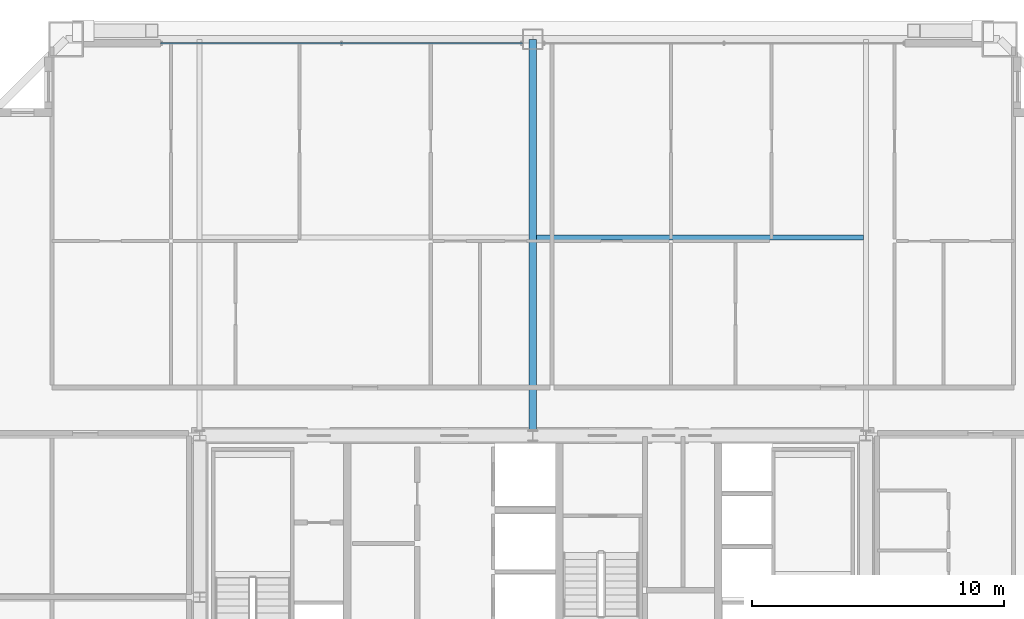
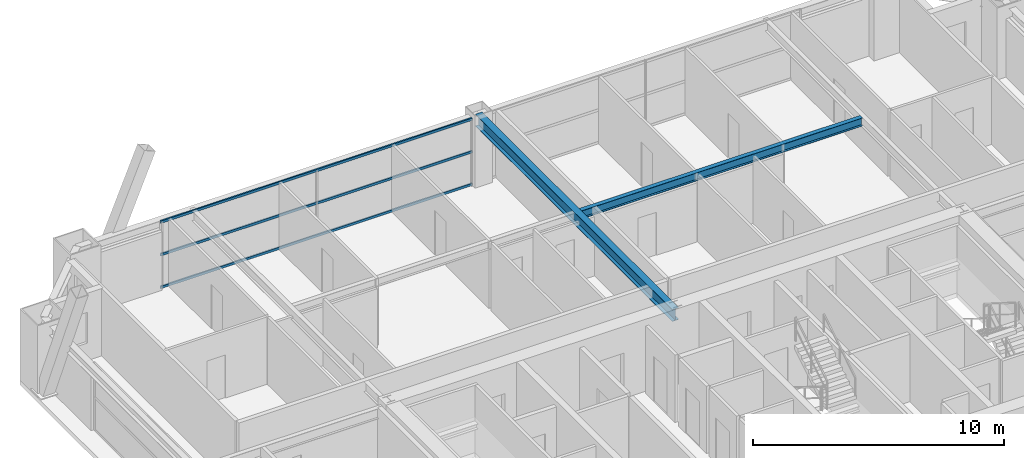
# One storey, part 34 of 45: 3 members, 2 beams, 1 element without a shape of its own.
"""IFC4 building model written with IfcOpenShell, lengths in metres."""

from ifc_helpers import new_model, si_unit, direction, frame, origin, origin_2d, place, context, subcontext, project, spatial, hollow_rectangle, i_section, extrude, source, transform, mapped, material, layer, layer_set, material_profile, profile_set, type_object, element, aggregate, save


model = new_model("IFC4")

# Units and contexts
model_context = context("Model", 3, precision=1e-05, world=origin(), true_north=direction((0.0, 1.0)))
body_context = subcontext(model_context, "Body", "Model", "MODEL_VIEW")
ifc_project = project(units=[si_unit("LENGTHUNIT", "METRE"), si_unit("AREAUNIT", "SQUARE_METRE"), si_unit("VOLUMEUNIT", "CUBIC_METRE"), si_unit("PLANEANGLEUNIT", "RADIAN"), si_unit("MASSUNIT", "GRAM", prefix="KILO"), si_unit("THERMODYNAMICTEMPERATUREUNIT", "KELVIN"), si_unit("POWERUNIT", "WATT")], contexts=[model_context])

# Site, building, storey
site_placement = place(None, origin())
site = spatial("IfcSite", under=ifc_project, at=site_placement, CompositionType="ELEMENT")
building_placement = place(site_placement, origin())
building = spatial("IfcBuilding", under=site, at=building_placement, Name="Yuzanri Waterfront Tower", CompositionType="ELEMENT")
storey_placement = place(building_placement, frame((0.0, 0.0, 191.5)))
storey = spatial("IfcBuildingStorey", under=building, at=storey_placement, Name="L50", CompositionType="ELEMENT", Elevation=191.5)

# Beams
ifc_material_1 = material(Name="Steel Q355B", Category="steel")
ifc_material_profile_1 = material_profile(ifc_material_1, i_section(OverallWidth=0.199951171875, OverallDepth=0.39990234375, WebThickness=0.008056640625, FlangeThickness=0.012939453125, at=origin_2d()), Name="HN 400x200x8x13")
ifc_profile_set_1 = profile_set([ifc_material_profile_1], Name="Steel Q355B")
beam_type_1 = type_object("IfcBeamType", Name="Floor Joist Q355B HN 400x200", PredefinedType="JOIST", material=ifc_profile_set_1)
shared_shape_1 = source(origin(), body_context, "Body", "SweptSolid", [
    extrude(i_section(OverallWidth=0.199951171875, OverallDepth=0.39990234375, WebThickness=0.008056640625, FlangeThickness=0.012939453125, at=origin_2d()), origin(), (0.0, 0.0, 1.0), 12.9501953125),
])
beam_1_placement = place(storey_placement, frame((37.14990234375, 40.050048828125, 3.080078125), z_axis=(1.0, 0.0, 0.0), x_axis=(0.0, 1.0, 0.0)))
element("IfcBeam", 1, at=beam_1_placement, inside=storey, type_object=beam_type_1, Name="L50 North Bay Joist E", PredefinedType="JOIST", context=body_context, shape_type="MappedRepresentation", body=[
    mapped(shared_shape_1, transform((0.0, 0.0, 0.0), scale=1.0)),
])
ifc_material_2 = material(Name="Steel Q355B", Category="steel")
ifc_material_profile_2 = material_profile(ifc_material_2, i_section(OverallWidth=0.300048828125, OverallDepth=0.587890625, WebThickness=0.011962890625, FlangeThickness=0.02001953125, at=origin_2d()), Name="HM 588x300x12x20")
ifc_profile_set_2 = profile_set([ifc_material_profile_2], Name="Steel Q355B")
beam_type_2 = type_object("IfcBeamType", Name="Primary Floor Girder Q355B HM 588x300", PredefinedType="BEAM", material=ifc_profile_set_2)
shared_shape_2 = source(origin(), body_context, "Body", "SweptSolid", [
    extrude(i_section(OverallWidth=0.300048828125, OverallDepth=0.587890625, WebThickness=0.011962890625, FlangeThickness=0.02001953125, at=origin_2d()), origin(), (0.0, 0.0, 1.0), 15.699951171875),
])
beam_2_placement = place(storey_placement, frame((37.0, 32.199951171875, 2.986083984375), z_axis=(0.0, 1.0, 0.0), x_axis=(-1.0, 0.0, 0.0)))
element("IfcBeam", 2, at=beam_2_placement, inside=storey, type_object=beam_type_2, Name="L50 North Grid Girder", PredefinedType="BEAM", context=body_context, shape_type="MappedRepresentation", body=[
    mapped(shared_shape_2, transform((0.0, 0.0, 0.0), scale=1.0)),
])

# Curtain wall, members
ifc_material_3 = material(Name="Anodized Architectural Bronze", Category="metal")
ifc_layer = layer(ifc_material_3, 0.159912109375)
ifc_layer_set = layer_set([ifc_layer], Name="Anodized Architectural Bronze")
curtain_wall_type = type_object("IfcCurtainWallType", Name="Anodized Bronze Mid-Rise Residential Acoustic Unitized Curtain Wall 7200", PredefinedType="NOTDEFINED", material=ifc_layer_set)
curtain_wall_placement = place(storey_placement, origin())
curtain_wall = element("IfcCurtainWall", 3, at=curtain_wall_placement, inside=storey, type_object=curtain_wall_type, Name="L50 Curtain Wall CW-L50-NL", PredefinedType="NOTDEFINED")
ifc_material_4 = material(Name="Anodized Architectural Bronze", Category="metal")
ifc_material_profile_3 = material_profile(ifc_material_4, hollow_rectangle(XDim=0.06494140625, YDim=0.1201171875, WallThickness=0.00341796875, at=origin_2d()), Name="CWT 65x120")
ifc_profile_set_3 = profile_set([ifc_material_profile_3], Name="Anodized Architectural Bronze")
member_type = type_object("IfcMemberType", Name="Anodized Bronze Secondary Curtain-Wall Transom 65x120", PredefinedType="USERDEFINED", material=ifc_profile_set_3)
shared_shape_3 = source(origin(), body_context, "Body", "SweptSolid", [
    extrude(hollow_rectangle(XDim=0.06494140625, YDim=0.1201171875, WallThickness=0.00341796875, at=origin_2d()), origin(), (0.0, 0.0, 1.0), 14.35009765625),
])
member_1_placement = place(storey_placement, frame((22.25, 47.75, 0.050048828125), z_axis=(1.0, 0.0, 0.0), x_axis=(0.0, 1.0, 0.0)))
member_1 = element("IfcMember", 4, at=member_1_placement, type_object=member_type, Name="CW-L50-NL Transom 1", ObjectType="TRANSOM", PredefinedType="USERDEFINED", context=body_context, shape_type="MappedRepresentation", body=[
    mapped(shared_shape_3, transform((0.0, 0.0, 0.0), scale=1.0)),
])
member_2_placement = place(storey_placement, frame((22.25, 47.75, 1.639892578125), z_axis=(1.0, 0.0, 0.0), x_axis=(0.0, 1.0, 0.0)))
member_2 = element("IfcMember", 5, at=member_2_placement, type_object=member_type, Name="CW-L50-NL Transom 2", ObjectType="TRANSOM", PredefinedType="USERDEFINED", context=body_context, shape_type="MappedRepresentation", body=[
    mapped(shared_shape_3, transform((0.0, 0.0, 0.0), scale=1.0)),
])
member_3_placement = place(storey_placement, frame((22.25, 47.75, 3.22998046875), z_axis=(1.0, 0.0, 0.0), x_axis=(0.0, 1.0, 0.0)))
member_3 = element("IfcMember", 6, at=member_3_placement, type_object=member_type, Name="CW-L50-NL Transom 3", ObjectType="TRANSOM", PredefinedType="USERDEFINED", context=body_context, shape_type="MappedRepresentation", body=[
    mapped(shared_shape_3, transform((0.0, 0.0, 0.0), scale=1.0)),
])
aggregate(curtain_wall, [member_1, member_2, member_3])

save(model, "model.ifc")
